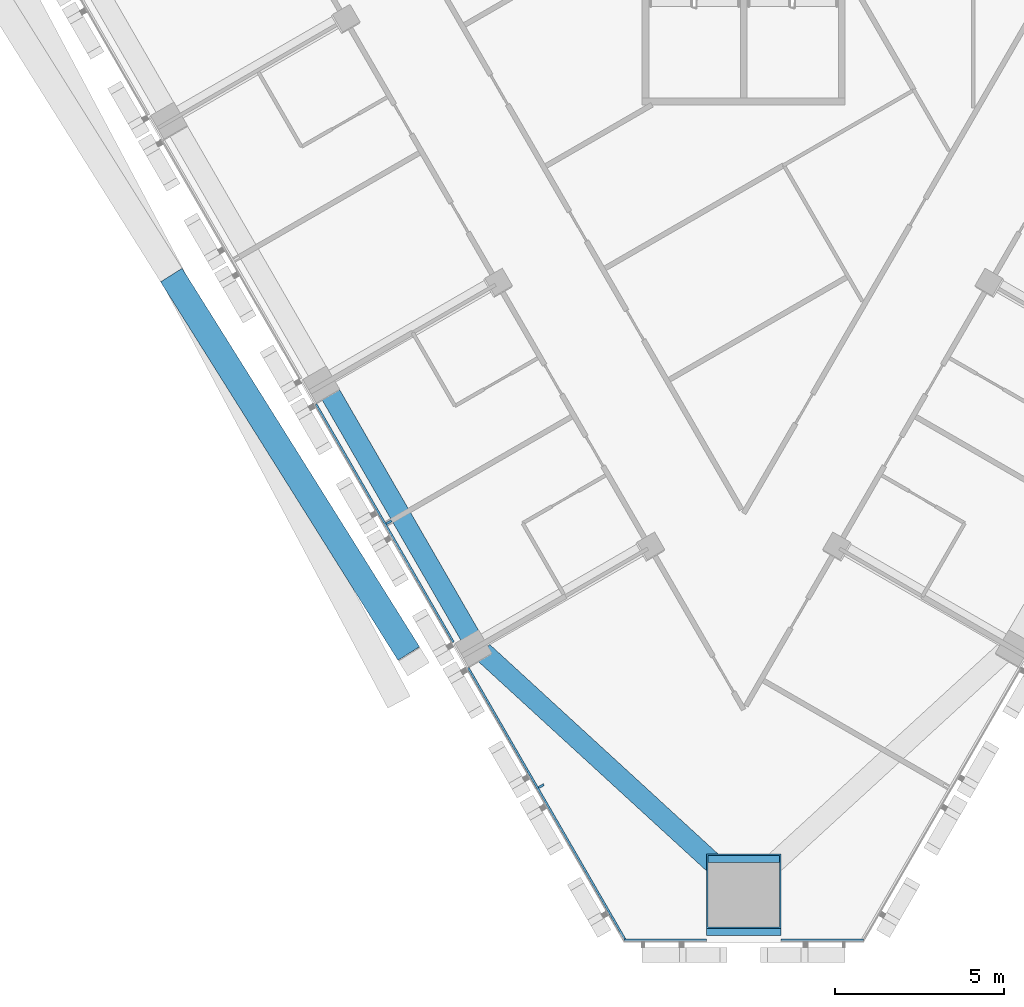
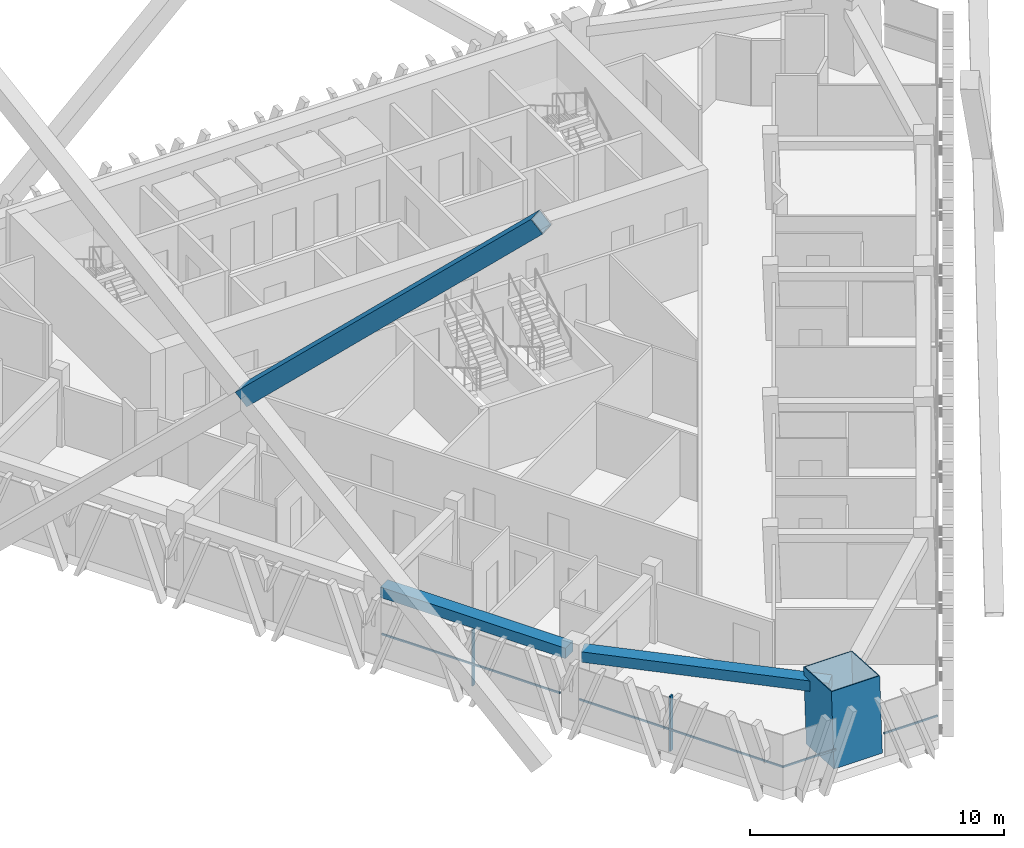
# One storey, part 2 of 18: 8 members, 2 beams, 2 elements without a shape of their own.
"""IFC4 building model written with IfcOpenShell, lengths in metres."""

import ifcopenshell
import ifcopenshell.guid

model = None  # the IFC model being written
_history = None  # IfcOwnerHistory: only IFC2X3 demands one
_inside = {}  # id of a spatial element -> (the spatial element, [elements in it])
_under = {}  # id of a project, library or spatial element -> (it, [spatial elements below it])
_declared = {}  # id of a project -> (the project, [libraries it declares])
_typed = {}  # id of a type object -> (the type object, [elements of that type])
_made_of = {}  # id of a material, layer set ... -> (it, [elements and type objects made of it])


def new_model(schema):
    """Start an empty IFC model of exactly this schema.

    Asked for "IFC4X3", IfcOpenShell would pick the latest addendum, in which some entities
    have other attributes; the version numbers below select the first issue.
    IFC2X3 requires an IfcOwnerHistory on every rooted entity: one is made here for all.
    """
    global model, _history
    if schema == "IFC4X3":
        model = ifcopenshell.file(schema_version=(4, 3, 0, 0))
    else:
        model = ifcopenshell.file(schema=schema)
    _inside.clear()
    _under.clear()
    _declared.clear()
    _typed.clear()
    _made_of.clear()
    _history = None
    if model.schema == "IFC2X3":
        org = make("IfcOrganization", Name="unknown")
        user = make(
            "IfcPersonAndOrganization",
            ThePerson=make("IfcPerson", FamilyName="unknown"),
            TheOrganization=org,
        )
        app = make(
            "IfcApplication",
            ApplicationDeveloper=org,
            Version="unknown",
            ApplicationFullName="unknown",
            ApplicationIdentifier="unknown",
        )
        _history = make(
            "IfcOwnerHistory",
            OwningUser=user,
            OwningApplication=app,
            ChangeAction="ADDED",
            CreationDate=0,
        )
    return model


def make(cls, **values):
    """One entity of the class cls with the attributes given. An attribute that is None is left unset."""
    return model.create_entity(
        cls, **{name: value for name, value in values.items() if value is not None}
    )


def rooted(cls, **values):
    """An entity with a GlobalId (a new one), such as an element, a storey or a relation."""
    return make(cls, GlobalId=ifcopenshell.guid.new(), OwnerHistory=_history, **values)


def si_unit(unit_type, name, prefix=None):
    """IfcSIUnit, for example si_unit("LENGTHUNIT", "METRE", prefix="MILLI")."""
    return make("IfcSIUnit", UnitType=unit_type, Prefix=prefix, Name=name)


def assignment(units):
    """IfcUnitAssignment: the units of a project."""
    return None if units is None else make("IfcUnitAssignment", Units=units)


def point(xyz):
    """IfcCartesianPoint."""
    return None if xyz is None else make("IfcCartesianPoint", Coordinates=xyz)


def direction(xyz):
    """IfcDirection."""
    return None if xyz is None else make("IfcDirection", DirectionRatios=xyz)


def frame(location, z_axis=None, x_axis=None):
    """IfcAxis2Placement3D, a coordinate frame: its origin and axes. An axis left out is left unset."""
    return make(
        "IfcAxis2Placement3D",
        Location=point(location),
        Axis=direction(z_axis),
        RefDirection=direction(x_axis),
    )


def frame_2d(location, x_axis=None):
    """IfcAxis2Placement2D, a coordinate frame in the plane: its origin and x axis."""
    return make(
        "IfcAxis2Placement2D", Location=point(location), RefDirection=direction(x_axis)
    )


def origin():
    """The frame at (0, 0, 0) with its axes left unset."""
    return frame((0.0, 0.0, 0.0))


def origin_2d():
    """The frame at (0, 0) in the plane with its x axis left unset."""
    return frame_2d((0.0, 0.0))


def place(relative_to, where):
    """IfcLocalPlacement: puts the frame where relative to a parent placement (None: the world)."""
    return make(
        "IfcLocalPlacement", PlacementRelTo=relative_to, RelativePlacement=where
    )


def context(
    kind, dimensions, precision=None, world=None, true_north=None, identifier=None
):
    """IfcGeometricRepresentationContext, for example the 3D "Model" context."""
    return make(
        "IfcGeometricRepresentationContext",
        ContextIdentifier=identifier,
        ContextType=kind,
        CoordinateSpaceDimension=dimensions,
        Precision=precision,
        WorldCoordinateSystem=world,
        TrueNorth=true_north,
    )


def subcontext(parent, identifier, kind, view, scale=None):
    """IfcGeometricRepresentationSubContext, for example "Body" below "Model"."""
    return make(
        "IfcGeometricRepresentationSubContext",
        ContextIdentifier=identifier,
        ContextType=kind,
        ParentContext=parent,
        TargetScale=scale,
        TargetView=view,
    )


def project(units=None, contexts=None):
    """IfcProject with its units and contexts."""
    return rooted(
        "IfcProject",
        Name="project",
        RepresentationContexts=contexts,
        UnitsInContext=assignment(units),
    )


def spatial(cls, under=None, at=None, **own):
    """A site, building, storey or space (cls), placed at a placement, below another one or the project."""
    s = rooted(cls, ObjectPlacement=at, **own)
    if under is not None:
        _under.setdefault(under.id(), (under, []))[1].append(s)
    return s


def profile(cls, at=None, kind="AREA", **sizes):
    """A parametric profile (cls). Its sizes go by their IFC names, for example OverallWidth=200.0."""
    return make(cls, ProfileType=kind, Position=at, **sizes)


def rectangle(**sizes):
    """IfcRectangleProfileDef."""
    return profile("IfcRectangleProfileDef", **sizes)


def hollow_rectangle(**sizes):
    """IfcRectangleHollowProfileDef."""
    return profile("IfcRectangleHollowProfileDef", **sizes)


def extrude(swept, where, along, depth):
    """IfcExtrudedAreaSolid: the profile swept, set in the frame where, extruded along a direction by depth."""
    return make(
        "IfcExtrudedAreaSolid",
        SweptArea=swept,
        Position=where,
        ExtrudedDirection=direction(along),
        Depth=depth,
    )


def shape(context_of_items, identifier, shape_type, items):
    """IfcShapeRepresentation: the items that make up one representation, for example the "Body"."""
    return make(
        "IfcShapeRepresentation",
        ContextOfItems=context_of_items,
        RepresentationIdentifier=identifier,
        RepresentationType=shape_type,
        Items=items,
    )


def material(Name=None, Category=None):
    """IfcMaterial."""
    return make("IfcMaterial", Name=Name, Category=Category)


def layer(
    of_material, thickness, ventilated=None, Name=None, Category=None, Priority=None
):
    """IfcMaterialLayer: one layer of a wall or slab, of a material (None: an air gap)."""
    return make(
        "IfcMaterialLayer",
        Material=of_material,
        LayerThickness=thickness,
        IsVentilated=ventilated,
        Name=Name,
        Category=Category,
        Priority=Priority,
    )


def layer_set(layers, Name=None):
    """IfcMaterialLayerSet."""
    return make("IfcMaterialLayerSet", MaterialLayers=layers, LayerSetName=Name)


def material_profile(
    of_material, cross_section, Name=None, Category=None, Priority=None
):
    """IfcMaterialProfile: a cross section and its material."""
    return make(
        "IfcMaterialProfile",
        Name=Name,
        Material=of_material,
        Profile=cross_section,
        Priority=Priority,
        Category=Category,
    )


def profile_set(profiles, Name=None, composite=None):
    """IfcMaterialProfileSet."""
    return make(
        "IfcMaterialProfileSet",
        Name=Name,
        MaterialProfiles=profiles,
        CompositeProfile=composite,
    )


def made_of(thing, what):
    """Note that an element or type object is made of a material, layer set ...; save() writes the relation."""
    if what is not None:
        _made_of.setdefault(what.id(), (what, []))[1].append(thing)
    return thing


def type_object(cls, material=None, **own):
    """A type object (cls), such as IfcWallType, which elements share."""
    return made_of(rooted(cls, **own), material)


def element(
    cls,
    number,
    at=None,
    inside=None,
    cuts=None,
    type_object=None,
    material=None,
    context=None,
    identifier="Body",
    shape_type=None,
    held_by="IfcProductDefinitionShape",
    body=None,
    shapes=None,
    **own,
):
    """One element of the class cls, such as IfcWall. Its Tag is "e" and its number.

    at: its placement. inside: the storey or other place that contains it. cuts: it is an
    opening in that element (IfcRelVoidsElement). A single representation is given by context,
    identifier, shape_type and body (its items); several are given by shapes. held_by: the class
    of the entity that holds the representations. save() writes the other relations.
    """
    e = rooted(cls, Tag="e%d" % number, ObjectPlacement=at, **own)
    if body is not None:
        shapes = [shape(context, identifier, shape_type, body)]
    if shapes is not None:
        e.Representation = make(held_by, Representations=shapes)
    if inside is not None:
        _inside.setdefault(inside.id(), (inside, []))[1].append(e)
    if cuts is not None:
        rooted(
            "IfcRelVoidsElement", RelatingBuildingElement=cuts, RelatedOpeningElement=e
        )
    if type_object is not None:
        _typed.setdefault(type_object.id(), (type_object, []))[1].append(e)
    return made_of(e, material)


def aggregate(whole, parts):
    """IfcRelAggregates: a whole, such as a stair, and the parts it consists of."""
    return rooted("IfcRelAggregates", RelatingObject=whole, RelatedObjects=parts)


def save(model, path):
    """Write the relations noted so far, then the file.

    IfcRelAggregates (storeys below a building ...), IfcRelContainedInSpatialStructure (elements
    in a storey), IfcRelDefinesByType, IfcRelAssociatesMaterial and IfcRelDeclares: one each for
    every whole, place, type object, material and project.
    """
    for whole, parts in _under.values():
        aggregate(whole, parts)
    for where, things in _inside.values():
        rooted(
            "IfcRelContainedInSpatialStructure",
            RelatedElements=things,
            RelatingStructure=where,
        )
    for kind, things in _typed.values():
        rooted("IfcRelDefinesByType", RelatedObjects=things, RelatingType=kind)
    for what, things in _made_of.values():
        rooted("IfcRelAssociatesMaterial", RelatedObjects=things, RelatingMaterial=what)
    for by, libraries in _declared.values():
        rooted("IfcRelDeclares", RelatingContext=by, RelatedDefinitions=libraries)
    model.write(path)


model = new_model("IFC4")

# Units and contexts
model_context = context("Model", 3, precision=1e-05, world=origin(), true_north=direction((0.0, 1.0)))
body_context = subcontext(model_context, "Body", "Model", "MODEL_VIEW")
ifc_project = project(units=[si_unit("LENGTHUNIT", "METRE"), si_unit("AREAUNIT", "SQUARE_METRE"), si_unit("VOLUMEUNIT", "CUBIC_METRE"), si_unit("PLANEANGLEUNIT", "RADIAN"), si_unit("MASSUNIT", "GRAM", prefix="KILO")], contexts=[model_context])

# Site, building, storey
site_placement = place(None, origin())
site = spatial("IfcSite", under=ifc_project, at=site_placement, CompositionType="ELEMENT")
building_placement = place(site_placement, origin())
building = spatial("IfcBuilding", under=site, at=building_placement, Name="Altiplano Prism Tower", CompositionType="ELEMENT")
storey_placement = place(building_placement, frame((0.0, 0.0, 163.800048828125)))
storey = spatial("IfcBuildingStorey", under=building, at=storey_placement, Name="L42", CompositionType="ELEMENT", Elevation=163.800048828125)

# Curtain wall, members
ifc_material_1 = material(Name="Aluminium and glass", Category="aluminium")
ifc_layer = layer(ifc_material_1, 0.280029296875)
ifc_layer_set = layer_set([ifc_layer], Name="Aluminium and glass")
curtain_wall_type = type_object("IfcCurtainWallType", Name="CW1 typical co-living unitised curtain wall", PredefinedType="NOTDEFINED", material=ifc_layer_set)
curtain_wall_1_placement = place(storey_placement, origin())
curtain_wall_1 = element("IfcCurtainWall", 1, at=curtain_wall_1_placement, inside=storey, type_object=curtain_wall_type, Name="CW1 curtain wall south-west face L42", PredefinedType="NOTDEFINED")
ifc_material_2 = material(Name="Aluminium", Category="aluminium")
ifc_material_profile_1 = material_profile(ifc_material_2, rectangle(XDim=0.179931640625, YDim=0.06494140625, at=origin_2d()), Name="CW1 mullion 65 x 180")
ifc_profile_set_1 = profile_set([ifc_material_profile_1], Name="Aluminium")
member_type_1 = type_object("IfcMemberType", Name="CW1 mullion 65 x 180", PredefinedType="MULLION", material=ifc_profile_set_1)
member_1_placement = place(storey_placement, frame((74.517578125, 71.0654296875, 0.0), z_axis=(0.0, 0.0, 1.0), x_axis=(0.866025400931, 0.500000004943, 0.0)))
member_1 = element("IfcMember", 2, at=member_1_placement, type_object=member_type_1, Name="CW1 mullion", PredefinedType="MULLION", context=body_context, shape_type="SweptSolid", body=[
    extrude(rectangle(XDim=0.179931640625, YDim=0.06494140625, at=origin_2d()), origin(), (0.0, 0.0, 1.0), 2.64990234375),
])
member_2_placement = place(storey_placement, frame((79.017578125, 63.271240234375, 0.0), z_axis=(0.0, 0.0, 1.0), x_axis=(0.866025400931, 0.500000004943, 0.0)))
member_2 = element("IfcMember", 3, at=member_2_placement, type_object=member_type_1, Name="CW1 mullion", PredefinedType="MULLION", context=body_context, shape_type="SweptSolid", body=[
    extrude(rectangle(XDim=0.179931640625, YDim=0.06494140625, at=origin_2d()), origin(), (0.0, 0.0, 1.0), 2.64990234375),
])
ifc_material_profile_2 = material_profile(ifc_material_2, rectangle(XDim=0.06005859375, YDim=0.080078125, at=origin_2d()), Name="CW1 transom 80 x 60")
ifc_profile_set_2 = profile_set([ifc_material_profile_2], Name="Aluminium")
member_type_2 = type_object("IfcMemberType", Name="CW1 transom 80 x 60", PredefinedType="USERDEFINED", material=ifc_profile_set_2)
member_3_placement = place(storey_placement, frame((72.364013671875, 74.5556640625, 1.099853515625), z_axis=(0.499990533176, -0.866030869389, 0.0), x_axis=(0.866030869389, 0.499990533176, 0.0)))
member_3 = element("IfcMember", 4, at=member_3_placement, type_object=member_type_2, Name="CW1 transom", ObjectType="TRANSOM", PredefinedType="USERDEFINED", context=body_context, shape_type="SweptSolid", body=[
    extrude(rectangle(XDim=0.06005859375, YDim=0.080078125, at=origin_2d()), origin(), (0.0, 0.0, 1.0), 8.119873046875),
])
member_4_placement = place(storey_placement, frame((76.864013671875, 66.761474609375, 1.099853515625), z_axis=(0.499985541187, -0.866033751423, 0.0), x_axis=(0.866033751423, 0.499985541187, 0.0)))
member_4 = element("IfcMember", 5, at=member_4_placement, type_object=member_type_2, Name="CW1 transom", ObjectType="TRANSOM", PredefinedType="USERDEFINED", context=body_context, shape_type="SweptSolid", body=[
    extrude(rectangle(XDim=0.06005859375, YDim=0.080078125, at=origin_2d()), origin(), (0.0, 0.0, 1.0), 9.318115234375),
])
aggregate(curtain_wall_1, [member_1, member_3, member_2, member_4])

curtain_wall_2_placement = place(storey_placement, origin())
curtain_wall_2 = element("IfcCurtainWall", 6, at=curtain_wall_2_placement, inside=storey, type_object=curtain_wall_type, Name="CW1 curtain wall south chamfer L42", PredefinedType="NOTDEFINED")
member_5_placement = place(storey_placement, frame((81.46240234375, 58.726806640625, 1.099853515625), z_axis=(1.0, 0.0, 0.0), x_axis=(0.0, 1.0, 0.0)))
member_5 = element("IfcMember", 7, at=member_5_placement, type_object=member_type_2, Name="CW1 transom", ObjectType="TRANSOM", PredefinedType="USERDEFINED", context=body_context, shape_type="SweptSolid", body=[
    extrude(rectangle(XDim=0.06005859375, YDim=0.080078125, at=origin_2d()), origin(), (0.0, 0.0, 1.0), 2.4375),
])
member_6_placement = place(storey_placement, frame((86.10009765625, 58.726806640625, 1.099853515625), z_axis=(1.0, 0.0, 0.0), x_axis=(0.0, 1.0, 0.0)))
member_6 = element("IfcMember", 8, at=member_6_placement, type_object=member_type_2, Name="CW1 transom", ObjectType="TRANSOM", PredefinedType="USERDEFINED", context=body_context, shape_type="SweptSolid", body=[
    extrude(rectangle(XDim=0.06005859375, YDim=0.080078125, at=origin_2d()), origin(), (0.0, 0.0, 1.0), 2.4375),
])
aggregate(curtain_wall_2, [member_5, member_6])

# Beams
ifc_material_3 = material(Name="Concrete C60/75", Category="concrete")
ifc_material_profile_3 = material_profile(ifc_material_3, rectangle(XDim=0.60009765625, YDim=0.5, at=origin_2d()), Name="Edge beam 600x500")
ifc_profile_set_3 = profile_set([ifc_material_profile_3], Name="Concrete C60/75")
beam_type = type_object("IfcBeamType", Name="Edge beam 600x500", PredefinedType="SPANDREL", material=ifc_profile_set_3)
beam_1_placement = place(storey_placement, frame((72.712890625, 74.98876953125, 2.89990234375), z_axis=(0.499993714791, -0.866029032521, 0.0), x_axis=(0.866029032521, 0.499993714791, 0.0)))
element("IfcBeam", 9, at=beam_1_placement, inside=storey, type_object=beam_type, Name="Edge beam P13-P14 L43", PredefinedType="SPANDREL", context=body_context, shape_type="SweptSolid", body=[
    extrude(rectangle(XDim=0.60009765625, YDim=0.5, at=origin_2d()), origin(), (0.0, 0.0, 1.0), 8.43994140625),
])
beam_2_placement = place(storey_placement, frame((77.29345703125, 67.234619140625, 2.89990234375), z_axis=(0.737016390972, -0.675874869661, 0.0), x_axis=(0.675874869661, 0.737016390972, 0.0)))
element("IfcBeam", 10, at=beam_2_placement, inside=storey, type_object=beam_type, Name="Edge beam P14-M1 L43", PredefinedType="SPANDREL", context=body_context, shape_type="SweptSolid", body=[
    extrude(rectangle(XDim=0.60009765625, YDim=0.5, at=origin_2d()), origin(), (0.0, 0.0, 1.0), 10.006591796875),
])

# Members
ifc_material_4 = material(Name="Steel S355", Category="steel")
ifc_material_profile_4 = material_profile(ifc_material_4, hollow_rectangle(XDim=0.75, YDim=0.75, WallThickness=0.0400390625, at=origin_2d()), Name="Mega brace Box 750x750x40")
ifc_profile_set_4 = profile_set([ifc_material_profile_4], Name="Steel S355")
member_type_3 = type_object("IfcMemberType", Name="Mega brace Box 750x750x40", PredefinedType="BRACE", material=ifc_profile_set_4)
member_7_placement = place(storey_placement, frame((68.227783203125, 78.149658203125, 11.875), z_axis=(0.383714251039, -0.611669790193, 0.691826164087), x_axis=(0.847112872125, 0.531413004997, 0.0)))
element("IfcMember", 11, at=member_7_placement, inside=storey, type_object=member_type_3, Name="Mega brace 4.1.2", PredefinedType="BRACE", context=body_context, shape_type="SweptSolid", body=[
    extrude(hollow_rectangle(XDim=0.75, YDim=0.75, WallThickness=0.0400390625, at=origin_2d()), origin(), (0.0, 0.0, 1.0), 18.281005859375),
])
ifc_material_5 = material(Name="Steel S460", Category="steel")
ifc_material_profile_5 = material_profile(ifc_material_5, hollow_rectangle(XDim=2.199951171875, YDim=2.199951171875, WallThickness=0.0400390625, at=origin_2d()), Name="Mega column tube 2200")
ifc_profile_set_5 = profile_set([ifc_material_profile_5], Name="Steel S460")
member_type_4 = type_object("IfcMemberType", Name="Mega column tube 2200", PredefinedType="POST", material=ifc_profile_set_5)
member_8_placement = place(storey_placement, frame((85.0, 59.956787109375, 0.0), z_axis=(0.0, 0.058360852261, 0.998295552892), x_axis=(-1.0, 0.0, 0.0)))
element("IfcMember", 12, at=member_8_placement, inside=storey, type_object=member_type_4, Name="Mega column tube M1 L42", PredefinedType="POST", context=body_context, shape_type="SweptSolid", body=[
    extrude(hollow_rectangle(XDim=2.199951171875, YDim=2.199951171875, WallThickness=0.0400390625, at=origin_2d()), origin(), (0.0, 0.0, 1.0), 3.60595703125),
])

save(model, "model.ifc")
